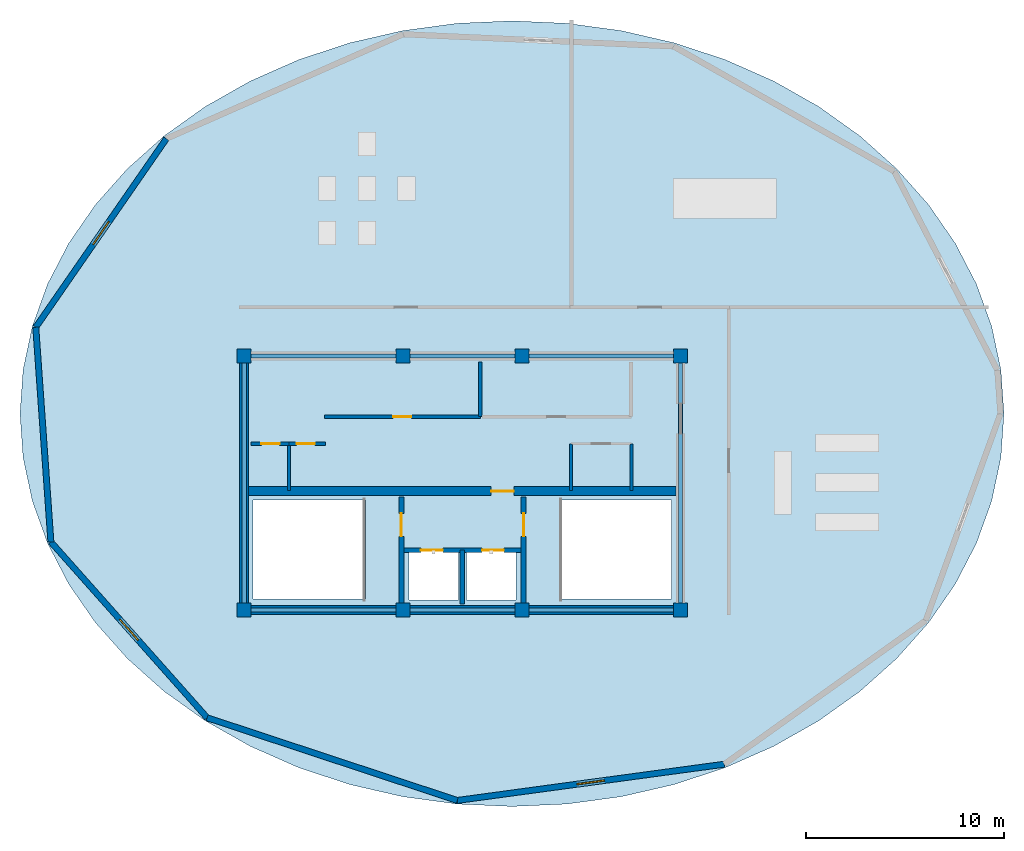
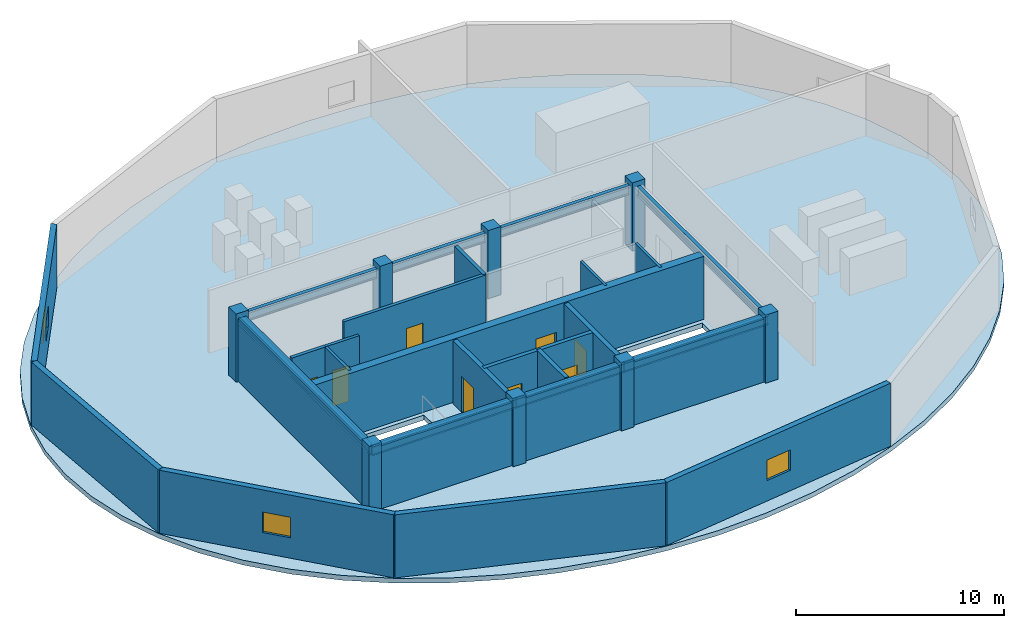
# One storey, part 1 of 4: 19 walls, 8 beams, 8 columns, 8 doors, 3 windows, 1 slab, 11 openings.
"""IFC4 building model written with IfcOpenShell, lengths in metres."""

from ifc_helpers import new_model, si_unit, direction, frame, frame_2d, origin, origin_2d, place, context, subcontext, project, spatial, polyline, rectangle, i_section, outline, extrude, material, layer, layer_set, material_profile, profile_set, type_object, element, fill, save


model = new_model("IFC4")

# Units and contexts
model_context = context("Model", 3, precision=1e-05, world=origin(), true_north=direction((0.0, 1.0)))
body_context = subcontext(model_context, "Body", "Model", "MODEL_VIEW")
ifc_project = project(units=[si_unit("LENGTHUNIT", "METRE"), si_unit("AREAUNIT", "SQUARE_METRE"), si_unit("VOLUMEUNIT", "CUBIC_METRE"), si_unit("PLANEANGLEUNIT", "RADIAN"), si_unit("MASSUNIT", "GRAM", prefix="KILO")], contexts=[model_context])

# Site, building, storey
site_placement = place(None, origin())
site = spatial("IfcSite", under=ifc_project, at=site_placement, CompositionType="ELEMENT")
building_placement = place(site_placement, origin())
building = spatial("IfcBuilding", under=site, at=building_placement, Name="Kazevale Care Tower and Concert Hall", CompositionType="ELEMENT")
storey_placement = place(building_placement, frame((0.0, 0.0, 308.800048828125)))
storey = spatial("IfcBuildingStorey", under=building, at=storey_placement, Name="L81", CompositionType="ELEMENT", Elevation=308.800048828125)

# Columns
ifc_material_1 = material(Name="Concrete C50", Category="concrete")
ifc_material_profile_1 = material_profile(ifc_material_1, rectangle(XDim=0.699951171875, YDim=0.699951171875, at=origin_2d()), Name="RC-SQ700")
ifc_profile_set_1 = profile_set([ifc_material_profile_1], Name="Concrete C50")
column_type = type_object("IfcColumnType", Name="Core Column SQ700 C50", PredefinedType="COLUMN", material=ifc_profile_set_1)
for number, where, z_axis, x_axis, name in (
    (1, (22.0, 23.60009765625, 0.0), (0.0, 0.0, 1.0), (1.0, 0.0, 0.0), "col:L81:CC-01"),
    (2, (30.0, 23.60009765625, 0.0), (0.0, 0.0, 1.0), (1.0, 0.0, 0.0), "col:L81:CC-02"),
    (3, (36.0, 23.60009765625, 0.0), (0.0, 0.0, 1.0), (1.0, 0.0, 0.0), "col:L81:CC-03"),
    (4, (44.0, 23.60009765625, 0.0), (0.0, 0.0, 1.0), (1.0, 0.0, 0.0), "col:L81:CC-04"),
    (5, (44.0, 36.39990234375, 0.0), (0.0, 0.0, 1.0), (1.0, 0.0, 0.0), "col:L81:CC-05"),
    (6, (36.0, 36.39990234375, 0.0), (0.0, 0.0, 1.0), (1.0, 0.0, 0.0), "col:L81:CC-06"),
    (7, (30.0, 36.39990234375, 0.0), (0.0, 0.0, 1.0), (1.0, 0.0, 0.0), "col:L81:CC-07"),
    (8, (22.0, 36.39990234375, 0.0), (0.0, 0.0, 1.0), (1.0, 0.0, 0.0), "col:L81:CC-08"),
):
    element("IfcColumn", number, at=place(storey_placement, frame(where, z_axis=z_axis, x_axis=x_axis)), inside=storey, type_object=column_type, Name=name, PredefinedType="COLUMN", context=body_context, shape_type="SweptSolid", body=[
        extrude(rectangle(XDim=0.699951171875, YDim=0.699951171875, at=origin_2d()), origin(), (0.0, 0.0, 1.0), 4.0),
    ])

# Beams
ifc_material_2 = material(Name="Steel ASTM A572 Gr 50", Category="steel")
ifc_material_profile_2 = material_profile(ifc_material_2, i_section(OverallWidth=0.208984375, OverallDepth=0.532958984375, WebThickness=0.01025390625, FlangeThickness=0.015625, at=origin_2d()), Name="W530x92")
ifc_profile_set_2 = profile_set([ifc_material_profile_2], Name="Steel ASTM A572 Gr 50")
beam_type = type_object("IfcBeamType", Name="Upper Ring Beam W530x92", PredefinedType="BEAM", material=ifc_profile_set_2)
beam_1_placement = place(storey_placement, frame((22.0, 23.60009765625, 3.433349609375), z_axis=(1.0, 0.0, 0.0), x_axis=(0.0, 1.0, 0.0)))
element("IfcBeam", 9, at=beam_1_placement, inside=storey, type_object=beam_type, Name="beam:L81:drum:1", PredefinedType="BEAM", context=body_context, shape_type="SweptSolid", body=[
    extrude(i_section(OverallWidth=0.208984375, OverallDepth=0.532958984375, WebThickness=0.01025390625, FlangeThickness=0.015625, at=origin_2d()), origin(), (0.0, 0.0, 1.0), 8.0),
])
beam_2_placement = place(storey_placement, frame((30.0, 23.60009765625, 3.433349609375), z_axis=(1.0, 0.0, 0.0), x_axis=(0.0, 1.0, 0.0)))
element("IfcBeam", 10, at=beam_2_placement, inside=storey, type_object=beam_type, Name="beam:L81:drum:2", PredefinedType="BEAM", context=body_context, shape_type="SweptSolid", body=[
    extrude(i_section(OverallWidth=0.208984375, OverallDepth=0.532958984375, WebThickness=0.01025390625, FlangeThickness=0.015625, at=origin_2d()), origin(), (0.0, 0.0, 1.0), 6.0),
])
beam_3_placement = place(storey_placement, frame((36.0, 23.60009765625, 3.433349609375), z_axis=(1.0, 0.0, 0.0), x_axis=(0.0, 1.0, 0.0)))
element("IfcBeam", 11, at=beam_3_placement, inside=storey, type_object=beam_type, Name="beam:L81:drum:3", PredefinedType="BEAM", context=body_context, shape_type="SweptSolid", body=[
    extrude(i_section(OverallWidth=0.208984375, OverallDepth=0.532958984375, WebThickness=0.01025390625, FlangeThickness=0.015625, at=origin_2d()), origin(), (0.0, 0.0, 1.0), 8.0),
])
beam_4_placement = place(storey_placement, frame((44.0, 23.60009765625, 3.433349609375), z_axis=(0.0, 1.0, 0.0), x_axis=(-1.0, 0.0, 0.0)))
element("IfcBeam", 12, at=beam_4_placement, inside=storey, type_object=beam_type, Name="beam:L81:drum:4", PredefinedType="BEAM", context=body_context, shape_type="SweptSolid", body=[
    extrude(i_section(OverallWidth=0.208984375, OverallDepth=0.532958984375, WebThickness=0.01025390625, FlangeThickness=0.015625, at=origin_2d()), origin(), (0.0, 0.0, 1.0), 12.7998046875),
])
beam_5_placement = place(storey_placement, frame((44.0, 36.39990234375, 3.433349609375), z_axis=(-1.0, 0.0, 0.0), x_axis=(0.0, -1.0, 0.0)))
element("IfcBeam", 13, at=beam_5_placement, inside=storey, type_object=beam_type, Name="beam:L81:drum:5", PredefinedType="BEAM", context=body_context, shape_type="SweptSolid", body=[
    extrude(i_section(OverallWidth=0.208984375, OverallDepth=0.532958984375, WebThickness=0.01025390625, FlangeThickness=0.015625, at=origin_2d()), origin(), (0.0, 0.0, 1.0), 8.0),
])
beam_6_placement = place(storey_placement, frame((36.0, 36.39990234375, 3.433349609375), z_axis=(-1.0, 0.0, 0.0), x_axis=(0.0, -1.0, 0.0)))
element("IfcBeam", 14, at=beam_6_placement, inside=storey, type_object=beam_type, Name="beam:L81:drum:6", PredefinedType="BEAM", context=body_context, shape_type="SweptSolid", body=[
    extrude(i_section(OverallWidth=0.208984375, OverallDepth=0.532958984375, WebThickness=0.01025390625, FlangeThickness=0.015625, at=origin_2d()), origin(), (0.0, 0.0, 1.0), 6.0),
])
beam_7_placement = place(storey_placement, frame((30.0, 36.39990234375, 3.433349609375), z_axis=(-1.0, 0.0, 0.0), x_axis=(0.0, -1.0, 0.0)))
element("IfcBeam", 15, at=beam_7_placement, inside=storey, type_object=beam_type, Name="beam:L81:drum:7", PredefinedType="BEAM", context=body_context, shape_type="SweptSolid", body=[
    extrude(i_section(OverallWidth=0.208984375, OverallDepth=0.532958984375, WebThickness=0.01025390625, FlangeThickness=0.015625, at=origin_2d()), origin(), (0.0, 0.0, 1.0), 8.0),
])
beam_8_placement = place(storey_placement, frame((22.0, 36.39990234375, 3.433349609375), z_axis=(0.0, -1.0, 0.0), x_axis=(1.0, 0.0, 0.0)))
element("IfcBeam", 16, at=beam_8_placement, inside=storey, type_object=beam_type, Name="beam:L81:drum:8", PredefinedType="BEAM", context=body_context, shape_type="SweptSolid", body=[
    extrude(i_section(OverallWidth=0.208984375, OverallDepth=0.532958984375, WebThickness=0.01025390625, FlangeThickness=0.015625, at=origin_2d()), origin(), (0.0, 0.0, 1.0), 12.7998046875),
])

# Slab
ifc_material_3 = material(Name="Concrete C40", Category="concrete")
ifc_layer_1 = layer(ifc_material_3, 0.280029296875)
ifc_layer_set_1 = layer_set([ifc_layer_1], Name="Concrete C40")
slab_type = type_object("IfcSlabType", Name="Crown Plant Floor Slab 280", PredefinedType="FLOOR", material=ifc_layer_set_1)
slab_placement = place(storey_placement, frame((0.0, 0.0, -0.280029296875)))
element("IfcSlab", 17, at=slab_placement, inside=storey, type_object=slab_type, Name="slab:L81:tw:1", PredefinedType="FLOOR", context=body_context, shape_type="SweptSolid", body=[
    extrude(outline(polyline([(60.300048828125, 33.5), (60.14404296875, 35.716796875), (59.67822265625, 37.906005859375), (58.908203125, 40.03955078125), (57.843994140625, 42.0908203125), (56.498779296875, 44.0341796875), (54.889404296875, 45.84521484375), (53.0361328125, 47.500732421875), (50.96240234375, 48.980224609375), (48.6943359375, 50.26513671875), (46.26025390625, 51.339111328125), (43.69091796875, 52.18896484375), (41.0185546875, 52.8037109375), (38.276611328125, 53.175537109375), (35.5, 53.300048828125), (32.723388671875, 53.175537109375), (29.9814453125, 52.8037109375), (27.30908203125, 52.18896484375), (24.73974609375, 51.339111328125), (22.3056640625, 50.26513671875), (20.03759765625, 48.980224609375), (17.9638671875, 47.500732421875), (16.110595703125, 45.84521484375), (14.501220703125, 44.0341796875), (13.156005859375, 42.0908203125), (12.091796875, 40.03955078125), (11.32177734375, 37.906005859375), (10.85595703125, 35.716796875), (10.699951171875, 33.5), (10.85595703125, 31.283203125), (11.32177734375, 29.093994140625), (12.091796875, 26.96044921875), (13.156005859375, 24.9091796875), (14.501220703125, 22.9658203125), (16.110595703125, 21.15478515625), (17.9638671875, 19.499267578125), (20.03759765625, 18.019775390625), (22.3056640625, 16.73486328125), (24.73974609375, 15.660888671875), (27.30908203125, 14.81103515625), (29.9814453125, 14.1962890625), (32.723388671875, 13.824462890625), (35.5, 13.699951171875), (38.276611328125, 13.824462890625), (41.0185546875, 14.1962890625), (43.69091796875, 14.81103515625), (46.26025390625, 15.660888671875), (48.6943359375, 16.73486328125), (50.96240234375, 18.019775390625), (53.0361328125, 19.499267578125), (54.889404296875, 21.15478515625), (56.498779296875, 22.9658203125), (57.843994140625, 24.9091796875), (58.908203125, 26.96044921875), (59.67822265625, 29.093994140625), (60.14404296875, 31.283203125), (60.300048828125, 33.5)]), holes=[polyline([(22.449951171875, 24.14990234375), (28.110107421875, 24.14990234375), (28.110107421875, 29.14990234375), (22.449951171875, 29.14990234375), (22.449951171875, 24.14990234375)]), polyline([(37.889892578125, 24.14990234375), (43.550048828125, 24.14990234375), (43.550048828125, 29.14990234375), (37.889892578125, 29.14990234375), (37.889892578125, 24.14990234375)]), polyline([(30.300048828125, 24.10009765625), (32.800048828125, 24.10009765625), (32.800048828125, 26.60009765625), (30.300048828125, 26.60009765625), (30.300048828125, 24.10009765625)]), polyline([(33.199951171875, 24.10009765625), (35.699951171875, 24.10009765625), (35.699951171875, 26.60009765625), (33.199951171875, 26.60009765625), (33.199951171875, 24.10009765625)])]), origin(), (0.0, 0.0, 1.0), 0.280029296875),
])

# Walls
ifc_material_4 = material(Name="Acoustic Gypsum on Steel Stud", Category="steel")
ifc_layer_2 = layer(ifc_material_4, 0.139892578125)
ifc_layer_set_2 = layer_set([ifc_layer_2], Name="Acoustic Gypsum on Steel Stud")
wall_type_1 = type_object("IfcWallType", Name="Acoustic Care & Suite Partition 140", PredefinedType="PARTITIONING", material=ifc_layer_set_2)
for number, where, z_axis, x_axis, name in (
    (18, (38.47998046875, 29.6201171875, 0.0), (0.0, 0.0, 1.0), (0.0, 1.0, 0.0), "wall:L81:kb_ew"),
    (19, (41.52001953125, 29.6201171875, 0.0), (0.0, 0.0, 1.0), (0.0, 1.0, 0.0), "wall:L81:kb_ee"),
):
    element("IfcWall", number, at=place(storey_placement, frame(where, z_axis=z_axis, x_axis=x_axis)), inside=storey, type_object=wall_type_1, Name=name, PredefinedType="PARTITIONING", context=body_context, shape_type="SweptSolid", body=[
        extrude(rectangle(XDim=2.35986328125, YDim=0.139892578125, at=frame_2d((1.179931640625, 0.0))), origin(), (0.0, 0.0, 1.0), 3.699951171875),
    ])
ifc_layer_3 = layer(ifc_material_1, 0.449951171875)
ifc_layer_set_3 = layer_set([ifc_layer_3], Name="Concrete C50")
wall_type_2 = type_object("IfcWallType", Name="Core Shear Wall 450 C50", PredefinedType="SHEAR", material=ifc_layer_set_3)
wall_1_placement = place(storey_placement, frame((21.77490234375, 23.60009765625, 0.0), z_axis=(0.0, 0.0, 1.0), x_axis=(1.0, 0.0, 0.0)))
element("IfcWall", 20, at=wall_1_placement, inside=storey, type_object=wall_type_2, Name="wall:L81:core:S", PredefinedType="SHEAR", context=body_context, shape_type="SweptSolid", body=[
    extrude(rectangle(XDim=22.4501953125, YDim=0.449951171875, at=frame_2d((11.22509765625, 0.0))), origin(), (0.0, 0.0, 1.0), 3.699951171875),
])
wall_2_placement = place(storey_placement, frame((22.0, 23.824951171875, 0.0), z_axis=(0.0, 0.0, 1.0), x_axis=(0.0, 1.0, 0.0)))
element("IfcWall", 21, at=wall_2_placement, inside=storey, type_object=wall_type_2, Name="wall:L81:core:W", PredefinedType="SHEAR", context=body_context, shape_type="SweptSolid", body=[
    extrude(rectangle(XDim=12.35009765625, YDim=0.449951171875, at=frame_2d((6.175048828125, 0.0))), origin(), (0.0, 0.0, 1.0), 3.699951171875),
])

# Wall, opening, door
wall_3_placement = place(storey_placement, frame((22.22509765625, 29.60009765625, 0.0), z_axis=(0.0, 0.0, 1.0), x_axis=(1.0, 0.0, 0.0)))
wall_3 = element("IfcWall", 22, at=wall_3_placement, inside=storey, type_object=wall_type_2, Name="wall:L81:core:M", PredefinedType="SHEAR", context=body_context, shape_type="SweptSolid", body=[
    extrude(rectangle(XDim=21.5498046875, YDim=0.449951171875, at=frame_2d((10.77490234375, 0.0))), origin(), (0.0, 0.0, 1.0), 3.699951171875),
])
opening_1_placement = place(wall_3_placement, frame((12.22509765625, 0.0, 0.0)))
opening_1 = element("IfcOpeningElement", 23, at=opening_1_placement, cuts=wall_3, Name="Opening FD-90", PredefinedType="OPENING", context=body_context, shape_type="SweptSolid", body=[
    extrude(rectangle(XDim=1.14990234375, YDim=2.10009765625, at=frame_2d((0.574951171875, 1.050048828125))), frame((0.0, 0.23486328125, 0.0), z_axis=(0.0, -1.0, 0.0), x_axis=(1.0, 0.0, 0.0)), (0.0, 0.0, 1.0), 0.469970703125),
])
door_type_1 = type_object("IfcDoorType", Name="Pressurized Stair & Lobby Fire Door 1150x2100", OperationType="NOTDEFINED", PredefinedType="DOOR", material=ifc_material_2)
door_1_placement = place(opening_1_placement, origin())
door_1 = element("IfcDoor", 24, at=door_1_placement, inside=storey, type_object=door_type_1, Name="door:L81:ff_to_pax", OperationType="SINGLE_SWING_LEFT", OverallHeight=2.10009765625, OverallWidth=1.14990234375, PredefinedType="DOOR", context=body_context, shape_type="SweptSolid", body=[
    extrude(rectangle(XDim=1.14990234375, YDim=2.10009765625, at=frame_2d((0.574951171875, 1.050048828125))), frame((0.0, 0.02490234375, 0.0), z_axis=(0.0, -1.0, 0.0), x_axis=(1.0, 0.0, 0.0)), (0.0, 0.0, 1.0), 0.050048828125),
])
fill(opening_1, door_1)

# Wall, opening, window
ifc_material_5 = material(Name="Concrete C40 with Honed Limestone Cladding", Category="masonry")
ifc_layer_4 = layer(ifc_material_5, 0.300048828125)
ifc_layer_set_4 = layer_set([ifc_layer_4], Name="Concrete C40 with Honed Limestone Cladding")
wall_type_3 = type_object("IfcWallType", Name="Crown Drum Louvred Stone Wall 300", PredefinedType="STANDARD", material=ifc_layer_set_4)
wall_4_placement = place(storey_placement, frame((46.196044921875, 15.8291015625, 0.0), z_axis=(0.0, 0.0, 1.0), x_axis=(-0.990927056791, -0.134400774248, 0.0)))
wall_4 = element("IfcWall", 25, at=wall_4_placement, inside=storey, type_object=wall_type_3, Name="wall:L81:drum:03", PredefinedType="STANDARD", context=body_context, shape_type="SweptSolid", body=[
    extrude(rectangle(XDim=13.580322265625, YDim=0.300048828125, at=frame_2d((6.7900390625, 0.0))), origin(), (0.0, 0.0, 1.0), 3.699951171875),
])
opening_2_placement = place(wall_4_placement, frame((6.090087890625, 0.0, 1.199951171875)))
opening_2 = element("IfcOpeningElement", 26, at=opening_2_placement, cuts=wall_4, Name="Opening WIN-4", PredefinedType="OPENING", context=body_context, shape_type="SweptSolid", body=[
    extrude(rectangle(XDim=1.39990234375, YDim=1.199951171875, at=frame_2d((0.699951171875, 0.60009765625))), frame((0.0, 0.159912109375, 0.0), z_axis=(0.0, -1.0, 0.0), x_axis=(1.0, 0.0, 0.0)), (0.0, 0.0, 1.0), 0.320068359375),
])
ifc_material_6 = material(Name="Aluminium 6063-T6", Category="aluminium")
window_type = type_object("IfcWindowType", Name="Crown Plant Louvred Window 1400x1200", PartitioningType="SINGLE_PANEL", PredefinedType="WINDOW", material=ifc_material_6)
window_1_placement = place(opening_2_placement, origin())
window_1 = element("IfcWindow", 27, at=window_1_placement, inside=storey, type_object=window_type, Name="win:L81:drum:03", OverallHeight=1.199951171875, OverallWidth=1.39990234375, PartitioningType="SINGLE_PANEL", PredefinedType="WINDOW", context=body_context, shape_type="SweptSolid", body=[
    extrude(rectangle(XDim=1.39990234375, YDim=1.199951171875, at=frame_2d((0.699951171875, 0.60009765625))), frame((0.0, 0.030029296875, 0.0), z_axis=(0.0, -1.0, 0.0), x_axis=(1.0, 0.0, 0.0)), (0.0, 0.0, 1.0), 0.06005859375),
])
fill(opening_2, window_1)

# Wall
wall_5_placement = place(storey_placement, frame((32.739013671875, 14.00390625, 0.0), z_axis=(0.0, 0.0, 1.0), x_axis=(-0.949436386168, 0.313959469709, 0.0)))
element("IfcWall", 28, at=wall_5_placement, inside=storey, type_object=wall_type_3, Name="wall:L81:drum:04", PredefinedType="STANDARD", context=body_context, shape_type="SweptSolid", body=[
    extrude(rectangle(XDim=13.2763671875, YDim=0.300048828125, at=frame_2d((6.63818359375, 0.0))), origin(), (0.0, 0.0, 1.0), 3.699951171875),
])

# Wall, opening, window
wall_6_placement = place(storey_placement, frame((20.134033203125, 18.172119140625, 0.0), z_axis=(0.0, 0.0, 1.0), x_axis=(-0.664394513906, 0.747382050822, 0.0)))
wall_6 = element("IfcWall", 29, at=wall_6_placement, inside=storey, type_object=wall_type_3, Name="wall:L81:drum:05", PredefinedType="STANDARD", context=body_context, shape_type="SweptSolid", body=[
    extrude(rectangle(XDim=11.85595703125, YDim=0.300048828125, at=frame_2d((5.927978515625, 0.0))), origin(), (0.0, 0.0, 1.0), 3.699951171875),
])
opening_3_placement = place(wall_6_placement, frame((5.22802734375, 0.0, 1.199951171875)))
opening_3 = element("IfcOpeningElement", 30, at=opening_3_placement, cuts=wall_6, Name="Opening WIN-4", PredefinedType="OPENING", context=body_context, shape_type="SweptSolid", body=[
    extrude(rectangle(XDim=1.39990234375, YDim=1.199951171875, at=frame_2d((0.699951171875, 0.60009765625))), frame((0.0, 0.159912109375, 0.0), z_axis=(0.0, -1.0, 0.0), x_axis=(1.0, 0.0, 0.0)), (0.0, 0.0, 1.0), 0.320068359375),
])
window_2_placement = place(opening_3_placement, origin())
window_2 = element("IfcWindow", 31, at=window_2_placement, inside=storey, type_object=window_type, Name="win:L81:drum:05", OverallHeight=1.199951171875, OverallWidth=1.39990234375, PartitioningType="SINGLE_PANEL", PredefinedType="WINDOW", context=body_context, shape_type="SweptSolid", body=[
    extrude(rectangle(XDim=1.39990234375, YDim=1.199951171875, at=frame_2d((0.699951171875, 0.60009765625))), frame((0.0, 0.030029296875, 0.0), z_axis=(0.0, -1.0, 0.0), x_axis=(1.0, 0.0, 0.0)), (0.0, 0.0, 1.0), 0.06005859375),
])
fill(opening_3, window_2)

# Wall
wall_7_placement = place(storey_placement, frame((12.257080078125, 27.032958984375, 0.0), z_axis=(0.0, 0.0, 1.0), x_axis=(-0.070228374331, 0.99753093959, 0.0)))
element("IfcWall", 32, at=wall_7_placement, inside=storey, type_object=wall_type_3, Name="wall:L81:drum:06", PredefinedType="STANDARD", context=body_context, shape_type="SweptSolid", body=[
    extrude(rectangle(XDim=10.849853515625, YDim=0.300048828125, at=frame_2d((5.4248046875, 0.0))), origin(), (0.0, 0.0, 1.0), 3.699951171875),
])

# Wall, opening, window
wall_8_placement = place(storey_placement, frame((11.4951171875, 37.85595703125, 0.0), z_axis=(0.0, 0.0, 1.0), x_axis=(0.569269280193, 0.822151133691, 0.0)))
wall_8 = element("IfcWall", 33, at=wall_8_placement, inside=storey, type_object=wall_type_3, Name="wall:L81:drum:07", PredefinedType="STANDARD", context=body_context, shape_type="SweptSolid", body=[
    extrude(rectangle(XDim=11.56005859375, YDim=0.300048828125, at=frame_2d((5.780029296875, 0.0))), origin(), (0.0, 0.0, 1.0), 3.699951171875),
])
opening_4_placement = place(wall_8_placement, frame((5.080078125, 0.0, 1.199951171875)))
opening_4 = element("IfcOpeningElement", 34, at=opening_4_placement, cuts=wall_8, Name="Opening WIN-4", PredefinedType="OPENING", context=body_context, shape_type="SweptSolid", body=[
    extrude(rectangle(XDim=1.39990234375, YDim=1.199951171875, at=frame_2d((0.699951171875, 0.60009765625))), frame((0.0, 0.159912109375, 0.0), z_axis=(0.0, -1.0, 0.0), x_axis=(1.0, 0.0, 0.0)), (0.0, 0.0, 1.0), 0.320068359375),
])
window_3_placement = place(opening_4_placement, origin())
window_3 = element("IfcWindow", 35, at=window_3_placement, inside=storey, type_object=window_type, Name="win:L81:drum:07", OverallHeight=1.199951171875, OverallWidth=1.39990234375, PartitioningType="SINGLE_PANEL", PredefinedType="WINDOW", context=body_context, shape_type="SweptSolid", body=[
    extrude(rectangle(XDim=1.39990234375, YDim=1.199951171875, at=frame_2d((0.699951171875, 0.60009765625))), frame((0.0, 0.030029296875, 0.0), z_axis=(0.0, -1.0, 0.0), x_axis=(1.0, 0.0, 0.0)), (0.0, 0.0, 1.0), 0.06005859375),
])
fill(opening_4, window_3)

# Wall, openings, doors
ifc_layer_5 = layer(ifc_material_3, 0.219970703125)
ifc_layer_set_5 = layer_set([ifc_layer_5], Name="Concrete C40")
wall_type_4 = type_object("IfcWallType", Name="Elevator Hoistway Shaft Wall 220", PredefinedType="SOLIDWALL", material=ifc_layer_set_5)
wall_9_placement = place(storey_placement, frame((29.919921875, 26.6201171875, 0.0), z_axis=(0.0, 0.0, 1.0), x_axis=(1.0, 0.0, 0.0)))
wall_9 = element("IfcWall", 36, at=wall_9_placement, inside=storey, type_object=wall_type_4, Name="wall:L81:c_ffl_n", PredefinedType="SOLIDWALL", context=body_context, shape_type="SweptSolid", body=[
    extrude(rectangle(XDim=6.16015625, YDim=0.219970703125, at=frame_2d((3.080078125, 0.0))), origin(), (0.0, 0.0, 1.0), 3.699951171875),
])
opening_5_placement = place(wall_9_placement, frame((0.989990234375, 0.0, 0.0)))
opening_5 = element("IfcOpeningElement", 37, at=opening_5_placement, cuts=wall_9, Name="Opening LD-FF", PredefinedType="OPENING", context=body_context, shape_type="SweptSolid", body=[
    extrude(rectangle(XDim=1.10009765625, YDim=2.10009765625, at=frame_2d((0.550048828125, 1.050048828125))), frame((0.0, 0.119873046875, 0.0), z_axis=(0.0, -1.0, 0.0), x_axis=(1.0, 0.0, 0.0)), (0.0, 0.0, 1.0), 0.239990234375),
])
opening_6_placement = place(wall_9_placement, frame((4.070068359375, 0.0, 0.0)))
opening_6 = element("IfcOpeningElement", 38, at=opening_6_placement, cuts=wall_9, Name="Opening LD-FF", PredefinedType="OPENING", context=body_context, shape_type="SweptSolid", body=[
    extrude(rectangle(XDim=1.10009765625, YDim=2.10009765625, at=frame_2d((0.550048828125, 1.050048828125))), frame((0.0, 0.119873046875, 0.0), z_axis=(0.0, -1.0, 0.0), x_axis=(1.0, 0.0, 0.0)), (0.0, 0.0, 1.0), 0.239990234375),
])
ifc_material_7 = material(Name="Stainless Steel 316", Category="steel")
door_type_2 = type_object("IfcDoorType", Name="Emergency Lift Sliding Landing Door 1100x2100", OperationType="NOTDEFINED", PredefinedType="DOOR", material=ifc_material_7)
door_2_placement = place(opening_5_placement, origin())
door_2 = element("IfcDoor", 39, at=door_2_placement, inside=storey, type_object=door_type_2, Name="door:L81:ld_ffl1", OperationType="SLIDING_TO_LEFT", OverallHeight=2.10009765625, OverallWidth=1.10009765625, PredefinedType="DOOR", context=body_context, shape_type="SweptSolid", body=[
    extrude(rectangle(XDim=1.10009765625, YDim=2.10009765625, at=frame_2d((0.550048828125, 1.050048828125))), frame((0.0, 0.02490234375, 0.0), z_axis=(0.0, -1.0, 0.0), x_axis=(1.0, 0.0, 0.0)), (0.0, 0.0, 1.0), 0.050048828125),
])
fill(opening_5, door_2)
door_3_placement = place(opening_6_placement, origin())
door_3 = element("IfcDoor", 40, at=door_3_placement, inside=storey, type_object=door_type_2, Name="door:L81:ld_ffl2", OperationType="SLIDING_TO_RIGHT", OverallHeight=2.10009765625, OverallWidth=1.10009765625, PredefinedType="DOOR", context=body_context, shape_type="SweptSolid", body=[
    extrude(rectangle(XDim=1.10009765625, YDim=2.10009765625, at=frame_2d((0.550048828125, 1.050048828125))), frame((0.0, 0.02490234375, 0.0), z_axis=(0.0, -1.0, 0.0), x_axis=(1.0, 0.0, 0.0)), (0.0, 0.0, 1.0), 0.050048828125),
])
fill(opening_6, door_3)

# Wall
wall_10_placement = place(storey_placement, frame((33.0, 23.89990234375, 0.0), z_axis=(0.0, 0.0, 1.0), x_axis=(0.0, 1.0, 0.0)))
element("IfcWall", 41, at=wall_10_placement, inside=storey, type_object=wall_type_4, Name="wall:L81:c_ffl_m", PredefinedType="SOLIDWALL", context=body_context, shape_type="SweptSolid", body=[
    extrude(rectangle(XDim=2.72021484375, YDim=0.219970703125, at=frame_2d((1.360107421875, 0.0))), origin(), (0.0, 0.0, 1.0), 3.699951171875),
])

# Wall, opening, door
ifc_material_8 = material(Name="Concrete C40 and Acoustic Gypsum", Category="concrete")
ifc_layer_6 = layer(ifc_material_8, 0.179931640625)
ifc_layer_set_6 = layer_set([ifc_layer_6], Name="Concrete C40 and Acoustic Gypsum")
wall_type_5 = type_object("IfcWallType", Name="Fire-Rated Corridor & Party Wall 180", PredefinedType="PARTITIONING", material=ifc_layer_set_6)
wall_11_placement = place(storey_placement, frame((26.050048828125, 33.35009765625, 0.0), z_axis=(0.0, 0.0, 1.0), x_axis=(1.0, 0.0, 0.0)))
wall_11 = element("IfcWall", 42, at=wall_11_placement, inside=storey, type_object=wall_type_5, Name="wall:L81:c_cps_s", PredefinedType="PARTITIONING", context=body_context, shape_type="SweptSolid", body=[
    extrude(rectangle(XDim=7.869873046875, YDim=0.179931640625, at=frame_2d((3.93505859375, 0.0))), origin(), (0.0, 0.0, 1.0), 3.699951171875),
])
opening_7_placement = place(wall_11_placement, frame((3.4599609375, 0.0, 0.0)))
opening_7 = element("IfcOpeningElement", 43, at=opening_7_placement, cuts=wall_11, Name="Opening ID-900", PredefinedType="OPENING", context=body_context, shape_type="SweptSolid", body=[
    extrude(rectangle(XDim=0.919921875, YDim=2.10009765625, at=frame_2d((0.4599609375, 1.050048828125))), frame((0.0, 0.099853515625, 0.0), z_axis=(0.0, -1.0, 0.0), x_axis=(1.0, 0.0, 0.0)), (0.0, 0.0, 1.0), 0.199951171875),
])
ifc_material_9 = material(Name="Oak Timber Fire Leaf", Category="wood")
door_type_3 = type_object("IfcDoorType", Name="Bathroom & Service Door 920x2100", OperationType="NOTDEFINED", PredefinedType="DOOR", material=ifc_material_9)
door_4_placement = place(opening_7_placement, origin())
door_4 = element("IfcDoor", 44, at=door_4_placement, inside=storey, type_object=door_type_3, Name="door:L81:d_cps", OperationType="SINGLE_SWING_LEFT", OverallHeight=2.10009765625, OverallWidth=0.919921875, PredefinedType="DOOR", context=body_context, shape_type="SweptSolid", body=[
    extrude(rectangle(XDim=0.919921875, YDim=2.10009765625, at=frame_2d((0.4599609375, 1.050048828125))), frame((0.0, 0.02490234375, 0.0), z_axis=(0.0, -1.0, 0.0), x_axis=(1.0, 0.0, 0.0)), (0.0, 0.0, 1.0), 0.050048828125),
])
fill(opening_7, door_4)

# Wall
wall_12_placement = place(storey_placement, frame((33.89990234375, 33.35009765625, 0.0), z_axis=(0.0, 0.0, 1.0), x_axis=(0.0, 1.0, 0.0)))
element("IfcWall", 45, at=wall_12_placement, inside=storey, type_object=wall_type_5, Name="wall:L81:c_cps_e", PredefinedType="PARTITIONING", context=body_context, shape_type="SweptSolid", body=[
    extrude(rectangle(XDim=2.75, YDim=0.179931640625, at=frame_2d((1.375, 0.0))), origin(), (0.0, 0.0, 1.0), 3.699951171875),
])

# Wall, opening, door
wall_13_placement = place(storey_placement, frame((22.35009765625, 31.97998046875, 0.0), z_axis=(0.0, 0.0, 1.0), x_axis=(1.0, 0.0, 0.0)))
wall_13 = element("IfcWall", 46, at=wall_13_placement, inside=storey, type_object=wall_type_5, Name="wall:L81:kb_wn0", PredefinedType="PARTITIONING", context=body_context, shape_type="SweptSolid", body=[
    extrude(rectangle(XDim=1.909912109375, YDim=0.179931640625, at=frame_2d((0.955078125, 0.0))), origin(), (0.0, 0.0, 1.0), 3.699951171875),
])
opening_8_placement = place(wall_13_placement, frame((0.514892578125, 0.0, 0.0)))
opening_8 = element("IfcOpeningElement", 47, at=opening_8_placement, cuts=wall_13, Name="Opening ID-900", PredefinedType="OPENING", context=body_context, shape_type="SweptSolid", body=[
    extrude(rectangle(XDim=0.919921875, YDim=2.10009765625, at=frame_2d((0.4599609375, 1.050048828125))), frame((0.0, 0.099853515625, 0.0), z_axis=(0.0, -1.0, 0.0), x_axis=(1.0, 0.0, 0.0)), (0.0, 0.0, 1.0), 0.199951171875),
])
door_5_placement = place(opening_8_placement, origin())
door_5 = element("IfcDoor", 48, at=door_5_placement, inside=storey, type_object=door_type_3, Name="door:L81:d_kbw1", OperationType="SINGLE_SWING_LEFT", OverallHeight=2.10009765625, OverallWidth=0.919921875, PredefinedType="DOOR", context=body_context, shape_type="SweptSolid", body=[
    extrude(rectangle(XDim=0.919921875, YDim=2.10009765625, at=frame_2d((0.4599609375, 1.050048828125))), frame((0.0, 0.02490234375, 0.0), z_axis=(0.0, -1.0, 0.0), x_axis=(1.0, 0.0, 0.0)), (0.0, 0.0, 1.0), 0.050048828125),
])
fill(opening_8, door_5)

# Wall
ifc_layer_7 = layer(ifc_material_4, 0.159912109375)
ifc_layer_set_7 = layer_set([ifc_layer_7], Name="Acoustic Gypsum on Steel Stud")
wall_type_6 = type_object("IfcWallType", Name="Moisture-Resistant Bathroom Plumbing Wall 160", PredefinedType="PLUMBINGWALL", material=ifc_layer_set_7)
wall_14_placement = place(storey_placement, frame((24.260009765625, 29.6201171875, 0.0), z_axis=(0.0, 0.0, 1.0), x_axis=(0.0, 1.0, 0.0)))
element("IfcWall", 49, at=wall_14_placement, inside=storey, type_object=wall_type_6, Name="wall:L81:kb_we1", PredefinedType="PLUMBINGWALL", context=body_context, shape_type="SweptSolid", body=[
    extrude(rectangle(XDim=2.35986328125, YDim=0.159912109375, at=frame_2d((1.179931640625, 0.0))), origin(), (0.0, 0.0, 1.0), 3.699951171875),
])

# Wall, opening, door
wall_15_placement = place(storey_placement, frame((24.260009765625, 31.97998046875, 0.0), z_axis=(0.0, 0.0, 1.0), x_axis=(1.0, 0.0, 0.0)))
wall_15 = element("IfcWall", 50, at=wall_15_placement, inside=storey, type_object=wall_type_6, Name="wall:L81:kb_wn1", PredefinedType="PLUMBINGWALL", context=body_context, shape_type="SweptSolid", body=[
    extrude(rectangle(XDim=1.840087890625, YDim=0.159912109375, at=frame_2d((0.919921875, 0.0))), origin(), (0.0, 0.0, 1.0), 3.699951171875),
])
opening_9_placement = place(wall_15_placement, frame((0.387939453125, 0.0, 0.0)))
opening_9 = element("IfcOpeningElement", 51, at=opening_9_placement, cuts=wall_15, Name="Opening ID-900", PredefinedType="OPENING", context=body_context, shape_type="SweptSolid", body=[
    extrude(rectangle(XDim=0.919921875, YDim=2.10009765625, at=frame_2d((0.4599609375, 1.050048828125))), frame((0.0, 0.08984375, 0.0), z_axis=(0.0, -1.0, 0.0), x_axis=(1.0, 0.0, 0.0)), (0.0, 0.0, 1.0), 0.179931640625),
])
door_6_placement = place(opening_9_placement, origin())
door_6 = element("IfcDoor", 52, at=door_6_placement, inside=storey, type_object=door_type_3, Name="door:L81:d_kbw2", OperationType="SINGLE_SWING_RIGHT", OverallHeight=2.10009765625, OverallWidth=0.919921875, PredefinedType="DOOR", context=body_context, shape_type="SweptSolid", body=[
    extrude(rectangle(XDim=0.919921875, YDim=2.10009765625, at=frame_2d((0.4599609375, 1.050048828125))), frame((0.0, 0.02490234375, 0.0), z_axis=(0.0, -1.0, 0.0), x_axis=(1.0, 0.0, 0.0)), (0.0, 0.0, 1.0), 0.050048828125),
])
fill(opening_9, door_6)

ifc_layer_8 = layer(ifc_material_3, 0.25)
ifc_layer_set_8 = layer_set([ifc_layer_8], Name="Concrete C40")
wall_type_7 = type_object("IfcWallType", Name="Pressurized Stair Shaft Wall 250", PredefinedType="SOLIDWALL", material=ifc_layer_set_8)
wall_16_placement = place(storey_placement, frame((29.919921875, 23.89990234375, 0.0), z_axis=(0.0, 0.0, 1.0), x_axis=(0.0, 1.0, 0.0)))
wall_16 = element("IfcWall", 53, at=wall_16_placement, inside=storey, type_object=wall_type_7, Name="wall:L81:c_st1_e", PredefinedType="SOLIDWALL", context=body_context, shape_type="SweptSolid", body=[
    extrude(rectangle(XDim=5.400146484375, YDim=0.25, at=frame_2d((2.7001953125, 0.0))), origin(), (0.0, 0.0, 1.0), 3.699951171875),
])
opening_10_placement = place(wall_16_placement, frame((3.4208984375, 0.0, 0.0)))
opening_10 = element("IfcOpeningElement", 54, at=opening_10_placement, cuts=wall_16, Name="Opening FD-90", PredefinedType="OPENING", context=body_context, shape_type="SweptSolid", body=[
    extrude(rectangle(XDim=1.14990234375, YDim=2.10009765625, at=frame_2d((0.574951171875, 1.050048828125))), frame((0.0, 0.135009765625, 0.0), z_axis=(0.0, -1.0, 0.0), x_axis=(1.0, 0.0, 0.0)), (0.0, 0.0, 1.0), 0.27001953125),
])
door_7_placement = place(opening_10_placement, origin())
door_7 = element("IfcDoor", 55, at=door_7_placement, inside=storey, type_object=door_type_1, Name="door:L81:st1", OperationType="SINGLE_SWING_RIGHT", OverallHeight=2.10009765625, OverallWidth=1.14990234375, PredefinedType="DOOR", context=body_context, shape_type="SweptSolid", body=[
    extrude(rectangle(XDim=1.14990234375, YDim=2.10009765625, at=frame_2d((0.574951171875, 1.050048828125))), frame((0.0, 0.02490234375, 0.0), z_axis=(0.0, -1.0, 0.0), x_axis=(1.0, 0.0, 0.0)), (0.0, 0.0, 1.0), 0.050048828125),
])
fill(opening_10, door_7)

wall_17_placement = place(storey_placement, frame((36.080078125, 23.89990234375, 0.0), z_axis=(0.0, 0.0, 1.0), x_axis=(0.0, 1.0, 0.0)))
wall_17 = element("IfcWall", 56, at=wall_17_placement, inside=storey, type_object=wall_type_7, Name="wall:L81:c_st2_w", PredefinedType="SOLIDWALL", context=body_context, shape_type="SweptSolid", body=[
    extrude(rectangle(XDim=5.400146484375, YDim=0.25, at=frame_2d((2.7001953125, 0.0))), origin(), (0.0, 0.0, 1.0), 3.699951171875),
])
opening_11_placement = place(wall_17_placement, frame((3.4208984375, 0.0, 0.0)))
opening_11 = element("IfcOpeningElement", 57, at=opening_11_placement, cuts=wall_17, Name="Opening FD-90", PredefinedType="OPENING", context=body_context, shape_type="SweptSolid", body=[
    extrude(rectangle(XDim=1.14990234375, YDim=2.10009765625, at=frame_2d((0.574951171875, 1.050048828125))), frame((0.0, 0.135009765625, 0.0), z_axis=(0.0, -1.0, 0.0), x_axis=(1.0, 0.0, 0.0)), (0.0, 0.0, 1.0), 0.27001953125),
])
door_8_placement = place(opening_11_placement, origin())
door_8 = element("IfcDoor", 58, at=door_8_placement, inside=storey, type_object=door_type_1, Name="door:L81:st2", OperationType="SINGLE_SWING_LEFT", OverallHeight=2.10009765625, OverallWidth=1.14990234375, PredefinedType="DOOR", context=body_context, shape_type="SweptSolid", body=[
    extrude(rectangle(XDim=1.14990234375, YDim=2.10009765625, at=frame_2d((0.574951171875, 1.050048828125))), frame((0.0, 0.02490234375, 0.0), z_axis=(0.0, -1.0, 0.0), x_axis=(1.0, 0.0, 0.0)), (0.0, 0.0, 1.0), 0.050048828125),
])
fill(opening_11, door_8)

save(model, "model.ifc")
